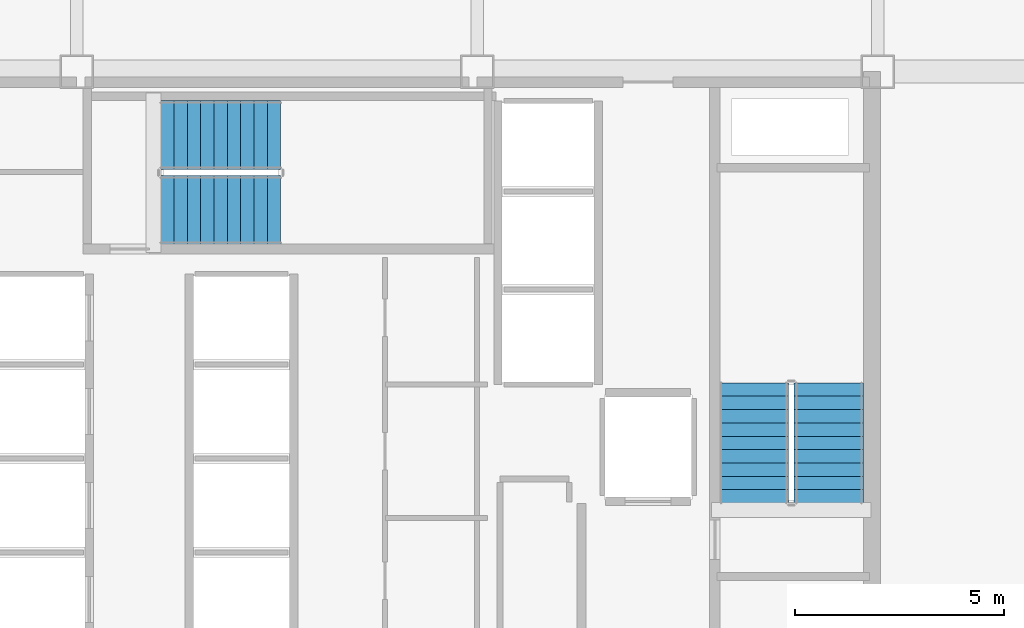
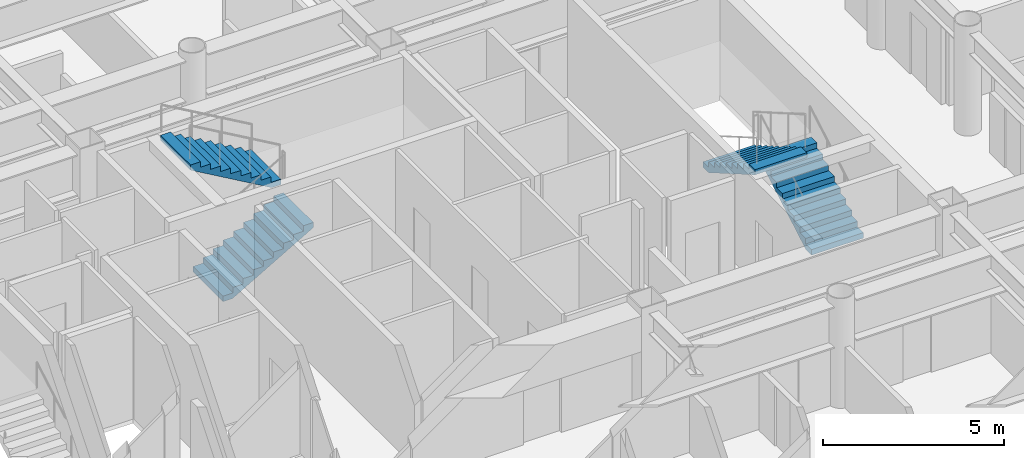
# One storey, part 20 of 21: 4 stair flights, 2 elements without a shape of their own.
"""IFC4 building model written with IfcOpenShell, lengths in metres."""

from ifc_helpers import new_model, si_unit, direction, frame, origin, place, context, subcontext, project, spatial, polyline, outline, extrude, material, type_object, element, aggregate, save


model = new_model("IFC4")

# Units and contexts
model_context = context("Model", 3, precision=1e-05, world=origin(), true_north=direction((0.0, 1.0)))
body_context = subcontext(model_context, "Body", "Model", "MODEL_VIEW")
ifc_project = project(units=[si_unit("LENGTHUNIT", "METRE"), si_unit("AREAUNIT", "SQUARE_METRE"), si_unit("VOLUMEUNIT", "CUBIC_METRE"), si_unit("PLANEANGLEUNIT", "RADIAN"), si_unit("MASSUNIT", "GRAM", prefix="KILO")], contexts=[model_context])

# Site, building, storey
site_placement = place(None, origin())
site = spatial("IfcSite", under=ifc_project, at=site_placement, CompositionType="ELEMENT")
building_placement = place(site_placement, origin())
building = spatial("IfcBuilding", under=site, at=building_placement, Name="Kallvorn Hotel Tower", CompositionType="ELEMENT")
storey_placement = place(building_placement, frame((0.0, 0.0, 85.5)))
storey = spatial("IfcBuildingStorey", under=building, at=storey_placement, Name="L20", CompositionType="ELEMENT", Elevation=85.5)

# Stair, stair flights
ifc_material_1 = material(Name="Precast concrete C40/50", Category="concrete")
stair_type = type_object("IfcStairType", Name="STR_CORE_DOGLEG", PredefinedType="HALF_TURN_STAIR", material=ifc_material_1)
stair_1_placement = place(storey_placement, origin())
stair_1 = element("IfcStair", 1, at=stair_1_placement, inside=storey, type_object=stair_type, Name="L20 Exit stair ST2", PredefinedType="HALF_TURN_STAIR")
ifc_material_2 = material(Name="Precast concrete C40/50", Category="concrete")
stair_flight_type = type_object("IfcStairFlightType", Name="FLT_CORE_1660", PredefinedType="STRAIGHT", material=ifc_material_2)
stair_flight_1_placement = place(storey_placement, frame((13.22998046875, -3.139892578125, 0.0), z_axis=(0.0, 0.0, 1.0), x_axis=(0.0, 1.0, 0.0)))
stair_flight_1 = element("IfcStairFlight", 2, at=stair_flight_1_placement, type_object=stair_flight_type, Name="ST2 flight 1", NumberOfRisers=10, NumberOfTreads=9, PredefinedType="STRAIGHT", RiserHeight=0.185, TreadLength=0.32, context=body_context, shape_type="SweptSolid", body=[
    extrude(outline(polyline([(0.0, 0.0), (0.0, 0.18505859375), (0.320068359375, 0.18505859375), (0.320068359375, 0.3701171875), (0.639892578125, 0.3701171875), (0.639892578125, 0.554931640625), (0.9599609375, 0.554931640625), (0.9599609375, 0.739990234375), (1.280029296875, 0.739990234375), (1.280029296875, 0.925048828125), (1.60009765625, 0.925048828125), (1.60009765625, 1.110107421875), (1.919921875, 1.110107421875), (1.919921875, 1.294921875), (2.239990234375, 1.294921875), (2.239990234375, 1.47998046875), (2.56005859375, 1.47998046875), (2.56005859375, 1.6650390625), (2.8798828125, 1.6650390625), (2.8798828125, 1.85009765625), (2.8798828125, 1.491943359375), (0.299560546875, 0.0), (0.0, 0.0)])), frame((0.0, 0.830078125, 0.0), z_axis=(0.0, -1.0, 0.0), x_axis=(1.0, 0.0, 0.0)), (0.0, 0.0, 1.0), 1.659912109375),
])
stair_flight_2_placement = place(storey_placement, frame((11.429931640625, -0.260009765625, 1.85009765625), z_axis=(0.0, 0.0, 1.0), x_axis=(0.0, -1.0, 0.0)))
stair_flight_2 = element("IfcStairFlight", 3, at=stair_flight_2_placement, type_object=stair_flight_type, Name="ST2 flight 2", NumberOfRisers=10, NumberOfTreads=9, PredefinedType="STRAIGHT", RiserHeight=0.185, TreadLength=0.32, context=body_context, shape_type="SweptSolid", body=[
    extrude(outline(polyline([(0.0, 0.0), (0.0, 0.18505859375), (0.320068359375, 0.18505859375), (0.320068359375, 0.3701171875), (0.639892578125, 0.3701171875), (0.639892578125, 0.554931640625), (0.9599609375, 0.554931640625), (0.9599609375, 0.739990234375), (1.280029296875, 0.739990234375), (1.280029296875, 0.925048828125), (1.60009765625, 0.925048828125), (1.60009765625, 1.110107421875), (1.919921875, 1.110107421875), (1.919921875, 1.294921875), (2.239990234375, 1.294921875), (2.239990234375, 1.47998046875), (2.56005859375, 1.47998046875), (2.56005859375, 1.6650390625), (2.8798828125, 1.6650390625), (2.8798828125, 1.85009765625), (2.8798828125, 1.491943359375), (0.299560546875, 0.0), (0.0, 0.0)])), frame((0.0, 0.830078125, 0.0), z_axis=(0.0, -1.0, 0.0), x_axis=(1.0, 0.0, 0.0)), (0.0, 0.0, 1.0), 1.659912109375),
])
aggregate(stair_1, [stair_flight_1, stair_flight_2])

stair_2_placement = place(storey_placement, origin())
stair_2 = element("IfcStair", 4, at=stair_2_placement, inside=storey, type_object=stair_type, Name="L20 Exit stair ST3", PredefinedType="HALF_TURN_STAIR")
stair_flight_3_placement = place(storey_placement, frame((-2.7900390625, 3.8798828125, 0.0), z_axis=(0.0, 0.0, 1.0), x_axis=(1.0, 0.0, 0.0)))
stair_flight_3 = element("IfcStairFlight", 5, at=stair_flight_3_placement, type_object=stair_flight_type, Name="ST3 flight 1", NumberOfRisers=10, NumberOfTreads=9, PredefinedType="STRAIGHT", RiserHeight=0.185, TreadLength=0.32, context=body_context, shape_type="SweptSolid", body=[
    extrude(outline(polyline([(0.0, 0.0), (0.0, 0.18505859375), (0.320068359375, 0.18505859375), (0.320068359375, 0.3701171875), (0.639892578125, 0.3701171875), (0.639892578125, 0.554931640625), (0.9599609375, 0.554931640625), (0.9599609375, 0.739990234375), (1.280029296875, 0.739990234375), (1.280029296875, 0.925048828125), (1.60009765625, 0.925048828125), (1.60009765625, 1.110107421875), (1.919921875, 1.110107421875), (1.919921875, 1.294921875), (2.239990234375, 1.294921875), (2.239990234375, 1.47998046875), (2.56005859375, 1.47998046875), (2.56005859375, 1.6650390625), (2.8798828125, 1.6650390625), (2.8798828125, 1.85009765625), (2.8798828125, 1.491943359375), (0.299560546875, 0.0), (0.0, 0.0)])), frame((0.0, 0.830078125, 0.0), z_axis=(0.0, -1.0, 0.0), x_axis=(1.0, 0.0, 0.0)), (0.0, 0.0, 1.0), 1.659912109375),
])
stair_flight_4_placement = place(storey_placement, frame((0.090087890625, 5.679931640625, 1.85009765625), z_axis=(0.0, 0.0, 1.0), x_axis=(-1.0, 0.0, 0.0)))
stair_flight_4 = element("IfcStairFlight", 6, at=stair_flight_4_placement, type_object=stair_flight_type, Name="ST3 flight 2", NumberOfRisers=10, NumberOfTreads=9, PredefinedType="STRAIGHT", RiserHeight=0.185, TreadLength=0.32, context=body_context, shape_type="SweptSolid", body=[
    extrude(outline(polyline([(0.0, 0.0), (0.0, 0.18505859375), (0.320068359375, 0.18505859375), (0.320068359375, 0.3701171875), (0.639892578125, 0.3701171875), (0.639892578125, 0.554931640625), (0.9599609375, 0.554931640625), (0.9599609375, 0.739990234375), (1.280029296875, 0.739990234375), (1.280029296875, 0.925048828125), (1.60009765625, 0.925048828125), (1.60009765625, 1.110107421875), (1.919921875, 1.110107421875), (1.919921875, 1.294921875), (2.239990234375, 1.294921875), (2.239990234375, 1.47998046875), (2.56005859375, 1.47998046875), (2.56005859375, 1.6650390625), (2.8798828125, 1.6650390625), (2.8798828125, 1.85009765625), (2.8798828125, 1.491943359375), (0.299560546875, 0.0), (0.0, 0.0)])), frame((0.0, 0.830078125, 0.0), z_axis=(0.0, -1.0, 0.0), x_axis=(1.0, 0.0, 0.0)), (0.0, 0.0, 1.0), 1.659912109375),
])
aggregate(stair_2, [stair_flight_3, stair_flight_4])

save(model, "model.ifc")
